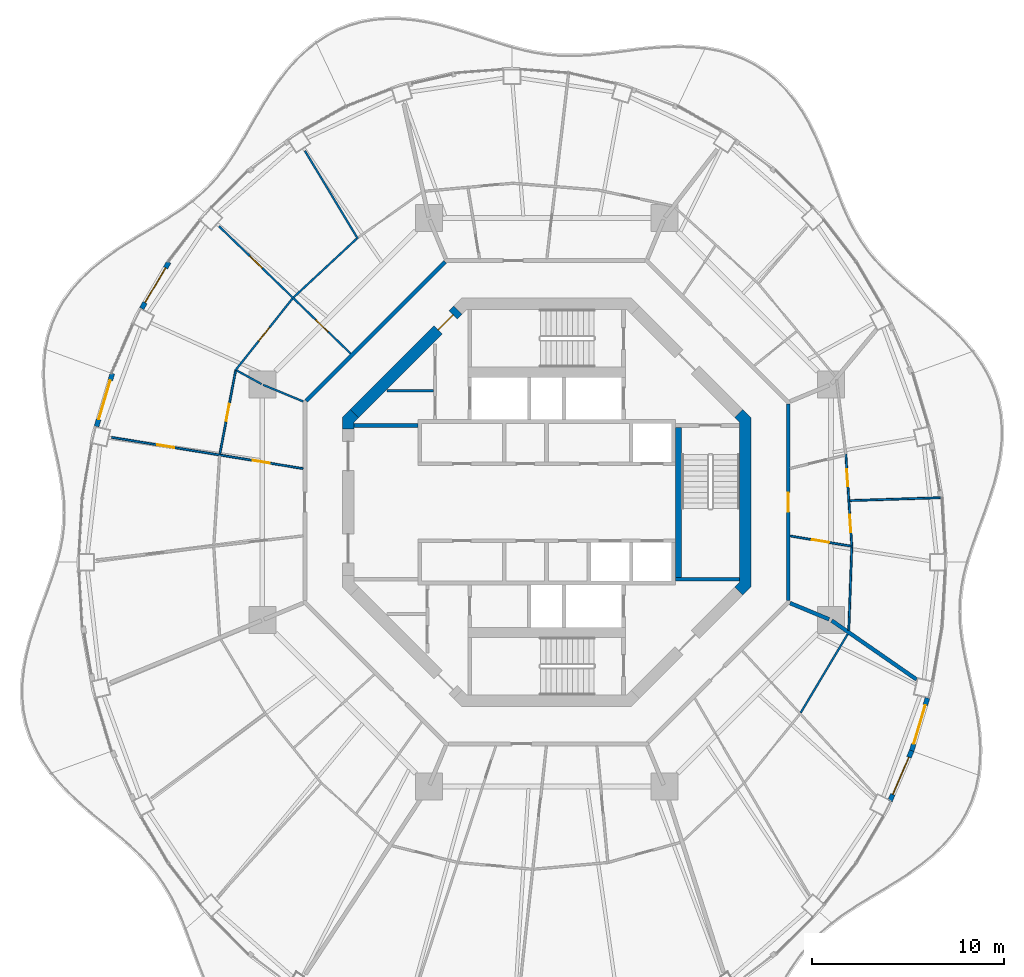
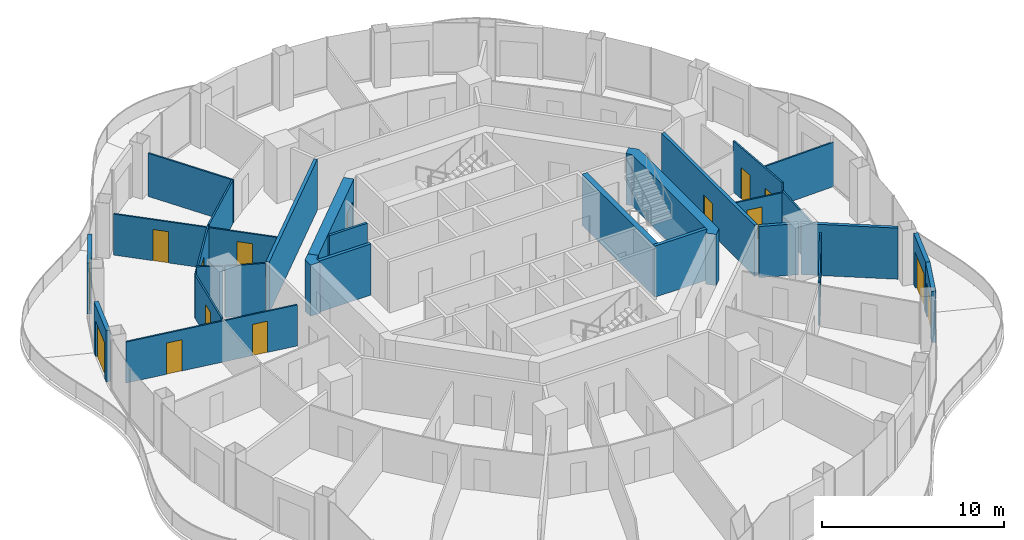
# One storey, part 12 of 18: 28 walls, 15 doors, 15 openings.
"""IFC4 building model written with IfcOpenShell, lengths in metres."""

import ifcopenshell
import ifcopenshell.guid

model = None  # the IFC model being written
_history = None  # IfcOwnerHistory: only IFC2X3 demands one
_inside = {}  # id of a spatial element -> (the spatial element, [elements in it])
_under = {}  # id of a project, library or spatial element -> (it, [spatial elements below it])
_declared = {}  # id of a project -> (the project, [libraries it declares])
_typed = {}  # id of a type object -> (the type object, [elements of that type])
_made_of = {}  # id of a material, layer set ... -> (it, [elements and type objects made of it])


def new_model(schema):
    """Start an empty IFC model of exactly this schema.

    Asked for "IFC4X3", IfcOpenShell would pick the latest addendum, in which some entities
    have other attributes; the version numbers below select the first issue.
    IFC2X3 requires an IfcOwnerHistory on every rooted entity: one is made here for all.
    """
    global model, _history
    if schema == "IFC4X3":
        model = ifcopenshell.file(schema_version=(4, 3, 0, 0))
    else:
        model = ifcopenshell.file(schema=schema)
    _inside.clear()
    _under.clear()
    _declared.clear()
    _typed.clear()
    _made_of.clear()
    _history = None
    if model.schema == "IFC2X3":
        org = make("IfcOrganization", Name="unknown")
        user = make(
            "IfcPersonAndOrganization",
            ThePerson=make("IfcPerson", FamilyName="unknown"),
            TheOrganization=org,
        )
        app = make(
            "IfcApplication",
            ApplicationDeveloper=org,
            Version="unknown",
            ApplicationFullName="unknown",
            ApplicationIdentifier="unknown",
        )
        _history = make(
            "IfcOwnerHistory",
            OwningUser=user,
            OwningApplication=app,
            ChangeAction="ADDED",
            CreationDate=0,
        )
    return model


def make(cls, **values):
    """One entity of the class cls with the attributes given. An attribute that is None is left unset."""
    return model.create_entity(
        cls, **{name: value for name, value in values.items() if value is not None}
    )


def rooted(cls, **values):
    """An entity with a GlobalId (a new one), such as an element, a storey or a relation."""
    return make(cls, GlobalId=ifcopenshell.guid.new(), OwnerHistory=_history, **values)


def si_unit(unit_type, name, prefix=None):
    """IfcSIUnit, for example si_unit("LENGTHUNIT", "METRE", prefix="MILLI")."""
    return make("IfcSIUnit", UnitType=unit_type, Prefix=prefix, Name=name)


def assignment(units):
    """IfcUnitAssignment: the units of a project."""
    return None if units is None else make("IfcUnitAssignment", Units=units)


def point(xyz):
    """IfcCartesianPoint."""
    return None if xyz is None else make("IfcCartesianPoint", Coordinates=xyz)


def direction(xyz):
    """IfcDirection."""
    return None if xyz is None else make("IfcDirection", DirectionRatios=xyz)


def frame(location, z_axis=None, x_axis=None):
    """IfcAxis2Placement3D, a coordinate frame: its origin and axes. An axis left out is left unset."""
    return make(
        "IfcAxis2Placement3D",
        Location=point(location),
        Axis=direction(z_axis),
        RefDirection=direction(x_axis),
    )


def frame_2d(location, x_axis=None):
    """IfcAxis2Placement2D, a coordinate frame in the plane: its origin and x axis."""
    return make(
        "IfcAxis2Placement2D", Location=point(location), RefDirection=direction(x_axis)
    )


def origin():
    """The frame at (0, 0, 0) with its axes left unset."""
    return frame((0.0, 0.0, 0.0))


def place(relative_to, where):
    """IfcLocalPlacement: puts the frame where relative to a parent placement (None: the world)."""
    return make(
        "IfcLocalPlacement", PlacementRelTo=relative_to, RelativePlacement=where
    )


def context(
    kind, dimensions, precision=None, world=None, true_north=None, identifier=None
):
    """IfcGeometricRepresentationContext, for example the 3D "Model" context."""
    return make(
        "IfcGeometricRepresentationContext",
        ContextIdentifier=identifier,
        ContextType=kind,
        CoordinateSpaceDimension=dimensions,
        Precision=precision,
        WorldCoordinateSystem=world,
        TrueNorth=true_north,
    )


def subcontext(parent, identifier, kind, view, scale=None):
    """IfcGeometricRepresentationSubContext, for example "Body" below "Model"."""
    return make(
        "IfcGeometricRepresentationSubContext",
        ContextIdentifier=identifier,
        ContextType=kind,
        ParentContext=parent,
        TargetScale=scale,
        TargetView=view,
    )


def project(units=None, contexts=None):
    """IfcProject with its units and contexts."""
    return rooted(
        "IfcProject",
        Name="project",
        RepresentationContexts=contexts,
        UnitsInContext=assignment(units),
    )


def spatial(cls, under=None, at=None, **own):
    """A site, building, storey or space (cls), placed at a placement, below another one or the project."""
    s = rooted(cls, ObjectPlacement=at, **own)
    if under is not None:
        _under.setdefault(under.id(), (under, []))[1].append(s)
    return s


def polyline(points):
    """IfcPolyline through the points."""
    return make("IfcPolyline", Points=[point(p) for p in points])


def profile(cls, at=None, kind="AREA", **sizes):
    """A parametric profile (cls). Its sizes go by their IFC names, for example OverallWidth=200.0."""
    return make(cls, ProfileType=kind, Position=at, **sizes)


def rectangle(**sizes):
    """IfcRectangleProfileDef."""
    return profile("IfcRectangleProfileDef", **sizes)


def outline(outer, holes=None, kind="AREA"):
    """IfcArbitraryClosedProfileDef: a profile drawn as a closed curve; with holes, ...WithVoids."""
    if holes is None:
        return make("IfcArbitraryClosedProfileDef", ProfileType=kind, OuterCurve=outer)
    return make(
        "IfcArbitraryProfileDefWithVoids",
        ProfileType=kind,
        OuterCurve=outer,
        InnerCurves=holes,
    )


def extrude(swept, where, along, depth):
    """IfcExtrudedAreaSolid: the profile swept, set in the frame where, extruded along a direction by depth."""
    return make(
        "IfcExtrudedAreaSolid",
        SweptArea=swept,
        Position=where,
        ExtrudedDirection=direction(along),
        Depth=depth,
    )


def shape(context_of_items, identifier, shape_type, items):
    """IfcShapeRepresentation: the items that make up one representation, for example the "Body"."""
    return make(
        "IfcShapeRepresentation",
        ContextOfItems=context_of_items,
        RepresentationIdentifier=identifier,
        RepresentationType=shape_type,
        Items=items,
    )


def material(Name=None, Category=None):
    """IfcMaterial."""
    return make("IfcMaterial", Name=Name, Category=Category)


def layer(
    of_material, thickness, ventilated=None, Name=None, Category=None, Priority=None
):
    """IfcMaterialLayer: one layer of a wall or slab, of a material (None: an air gap)."""
    return make(
        "IfcMaterialLayer",
        Material=of_material,
        LayerThickness=thickness,
        IsVentilated=ventilated,
        Name=Name,
        Category=Category,
        Priority=Priority,
    )


def layer_set(layers, Name=None):
    """IfcMaterialLayerSet."""
    return make("IfcMaterialLayerSet", MaterialLayers=layers, LayerSetName=Name)


def made_of(thing, what):
    """Note that an element or type object is made of a material, layer set ...; save() writes the relation."""
    if what is not None:
        _made_of.setdefault(what.id(), (what, []))[1].append(thing)
    return thing


def type_object(cls, material=None, **own):
    """A type object (cls), such as IfcWallType, which elements share."""
    return made_of(rooted(cls, **own), material)


def element(
    cls,
    number,
    at=None,
    inside=None,
    cuts=None,
    type_object=None,
    material=None,
    context=None,
    identifier="Body",
    shape_type=None,
    held_by="IfcProductDefinitionShape",
    body=None,
    shapes=None,
    **own,
):
    """One element of the class cls, such as IfcWall. Its Tag is "e" and its number.

    at: its placement. inside: the storey or other place that contains it. cuts: it is an
    opening in that element (IfcRelVoidsElement). A single representation is given by context,
    identifier, shape_type and body (its items); several are given by shapes. held_by: the class
    of the entity that holds the representations. save() writes the other relations.
    """
    e = rooted(cls, Tag="e%d" % number, ObjectPlacement=at, **own)
    if body is not None:
        shapes = [shape(context, identifier, shape_type, body)]
    if shapes is not None:
        e.Representation = make(held_by, Representations=shapes)
    if inside is not None:
        _inside.setdefault(inside.id(), (inside, []))[1].append(e)
    if cuts is not None:
        rooted(
            "IfcRelVoidsElement", RelatingBuildingElement=cuts, RelatedOpeningElement=e
        )
    if type_object is not None:
        _typed.setdefault(type_object.id(), (type_object, []))[1].append(e)
    return made_of(e, material)


def fill(opening, filler):
    """IfcRelFillsElement: the door or window that sits in an opening."""
    return rooted(
        "IfcRelFillsElement",
        RelatingOpeningElement=opening,
        RelatedBuildingElement=filler,
    )


def aggregate(whole, parts):
    """IfcRelAggregates: a whole, such as a stair, and the parts it consists of."""
    return rooted("IfcRelAggregates", RelatingObject=whole, RelatedObjects=parts)


def save(model, path):
    """Write the relations noted so far, then the file.

    IfcRelAggregates (storeys below a building ...), IfcRelContainedInSpatialStructure (elements
    in a storey), IfcRelDefinesByType, IfcRelAssociatesMaterial and IfcRelDeclares: one each for
    every whole, place, type object, material and project.
    """
    for whole, parts in _under.values():
        aggregate(whole, parts)
    for where, things in _inside.values():
        rooted(
            "IfcRelContainedInSpatialStructure",
            RelatedElements=things,
            RelatingStructure=where,
        )
    for kind, things in _typed.values():
        rooted("IfcRelDefinesByType", RelatedObjects=things, RelatingType=kind)
    for what, things in _made_of.values():
        rooted("IfcRelAssociatesMaterial", RelatedObjects=things, RelatingMaterial=what)
    for by, libraries in _declared.values():
        rooted("IfcRelDeclares", RelatingContext=by, RelatedDefinitions=libraries)
    model.write(path)


model = new_model("IFC4")

# Units and contexts
model_context = context("Model", 3, precision=1e-05, world=origin(), true_north=direction((0.0, 1.0)))
body_context = subcontext(model_context, "Body", "Model", "MODEL_VIEW")
ifc_project = project(units=[si_unit("LENGTHUNIT", "METRE"), si_unit("AREAUNIT", "SQUARE_METRE"), si_unit("VOLUMEUNIT", "CUBIC_METRE"), si_unit("PLANEANGLEUNIT", "RADIAN"), si_unit("MASSUNIT", "GRAM", prefix="KILO")], contexts=[model_context])

# Site, building, storey
site_placement = place(None, origin())
site = spatial("IfcSite", under=ifc_project, at=site_placement, CompositionType="ELEMENT")
building_placement = place(site_placement, origin())
building = spatial("IfcBuilding", under=site, at=building_placement, Name="Nagisa Residences", CompositionType="ELEMENT")
storey_placement = place(building_placement, frame((0.0, 0.0, 284.39990234375)))
storey = spatial("IfcBuildingStorey", under=building, at=storey_placement, Name="L72", CompositionType="ELEMENT", Elevation=284.39990234375)

# Walls
ifc_material_1 = material(Name="Gypsum board on steel studs", Category="steel")
ifc_layer_1 = layer(ifc_material_1, 0.199951171875)
ifc_layer_set_1 = layer_set([ifc_layer_1], Name="Apartment compartment wall EI60 200")
wall_type_1 = type_object("IfcWallType", Name="Apartment compartment wall EI60 200", PredefinedType="PARTITIONING", material=ifc_layer_set_1)
wall_1_placement = place(storey_placement, frame((12.6572265625, -5.24267578125, 0.0), z_axis=(0.0, 0.0, 1.0), x_axis=(0.92383017907, -0.382802560388, 0.0)))
element("IfcWall", 1, at=wall_1_placement, inside=storey, type_object=wall_type_1, Name="wall:L72:u12", PredefinedType="PARTITIONING", context=body_context, shape_type="SweptSolid", body=[
    extrude(rectangle(XDim=2.2001953125, YDim=0.199951171875, at=frame_2d((1.10009765625, 0.0))), origin(), (0.0, 0.0, 1.0), 3.440185546875),
])
wall_2_placement = place(storey_placement, frame((14.8232421875, -6.1513671875, 0.0), z_axis=(0.0, 0.0, 1.0), x_axis=(0.821435065081, -0.570302054928, 0.0)))
element("IfcWall", 2, at=wall_2_placement, inside=storey, type_object=wall_type_1, Name="wall:L72:u13", PredefinedType="PARTITIONING", context=body_context, shape_type="SweptSolid", body=[
    extrude(rectangle(XDim=5.3681640625, YDim=0.199951171875, at=frame_2d((2.68408203125, 0.0))), origin(), (0.0, 0.0, 1.0), 3.440185546875),
])

# Wall, opening, door
ifc_material_2 = material(Name="Gypsum board on steel studs", Category="steel")
ifc_layer_2 = layer(ifc_material_2, 0.199951171875)
ifc_layer_set_2 = layer_set([ifc_layer_2], Name="Apartment entry wall EI60 200")
wall_type_2 = type_object("IfcWallType", Name="Apartment entry wall EI60 200", PredefinedType="PARTITIONING", material=ifc_layer_set_2)
wall_3_placement = place(storey_placement, frame((12.564697265625, -5.1044921875, 0.0), z_axis=(0.0, 0.0, 1.0), x_axis=(0.0, 1.0, 0.0)))
wall_3 = element("IfcWall", 3, at=wall_3_placement, inside=storey, type_object=wall_type_2, Name="wall:L72:u14", PredefinedType="PARTITIONING", context=body_context, shape_type="SweptSolid", body=[
    extrude(rectangle(XDim=10.208984375, YDim=0.199951171875, at=frame_2d((5.1044921875, 0.0))), origin(), (0.0, 0.0, 1.0), 3.440185546875),
])
opening_1_placement = place(wall_3_placement, frame((4.6044921875, 0.0, 0.0)))
opening_1 = element("IfcOpeningElement", 4, at=opening_1_placement, cuts=wall_3, Name="Opening L72-U20", PredefinedType="OPENING", context=body_context, shape_type="SweptSolid", body=[
    extrude(rectangle(XDim=1.0, YDim=2.10009765625, at=frame_2d((0.5, 1.050048828125))), frame((0.0, 0.10986328125, 0.0), z_axis=(0.0, -1.0, 0.0), x_axis=(1.0, 0.0, 0.0)), (0.0, 0.0, 1.0), 0.219970703125),
])
ifc_material_3 = material(Name="Timber fire door set", Category="wood")
door_type_1 = type_object("IfcDoorType", Name="Apartment entry door FD30S 1000x2100", OperationType="NOTDEFINED", PredefinedType="DOOR", material=ifc_material_3)
door_1_placement = place(opening_1_placement, frame((1.0, 0.0, 0.0), x_axis=(-1.0, 0.0, 0.0)))
door_1 = element("IfcDoor", 5, at=door_1_placement, inside=storey, type_object=door_type_1, Name="Entry door, Apartment 72D", OperationType="SINGLE_SWING_LEFT", OverallHeight=2.10009765625, OverallWidth=1.0, PredefinedType="DOOR", context=body_context, shape_type="SweptSolid", body=[
    extrude(rectangle(XDim=1.0, YDim=2.10009765625, at=frame_2d((0.5, 1.050048828125))), frame((0.0, 0.02490234375, 0.0), z_axis=(0.0, -1.0, 0.0), x_axis=(1.0, 0.0, 0.0)), (0.0, 0.0, 1.0), 0.050048828125),
])
fill(opening_1, door_1)

# Wall
wall_4_placement = place(storey_placement, frame((-5.275146484375, 12.494140625, 0.0), z_axis=(0.0, 0.0, 1.0), x_axis=(-0.707106781187, -0.707106781187, 0.0)))
element("IfcWall", 6, at=wall_4_placement, inside=storey, type_object=wall_type_2, Name="wall:L72:u17", PredefinedType="PARTITIONING", context=body_context, shape_type="SweptSolid", body=[
    extrude(rectangle(XDim=10.209228515625, YDim=0.199951171875, at=frame_2d((5.1044921875, 0.0))), origin(), (0.0, 0.0, 1.0), 3.440185546875),
])

# Wall, opening, door
ifc_material_4 = material(Name="Gypsum board on steel studs", Category="steel")
ifc_layer_3 = layer(ifc_material_4, 0.10009765625)
ifc_layer_set_3 = layer_set([ifc_layer_3], Name="Apartment partition 100")
wall_type_3 = type_object("IfcWallType", Name="Apartment partition 100", PredefinedType="PARTITIONING", material=ifc_layer_set_3)
wall_5_placement = place(storey_placement, frame((12.663330078125, -1.75146484375, 0.0), z_axis=(0.0, 0.0, 1.0), x_axis=(0.98626156497, -0.165191178529, 0.0)))
wall_5 = element("IfcWall", 7, at=wall_5_placement, inside=storey, type_object=wall_type_3, Name="wall:L72:u22", PredefinedType="PARTITIONING", context=body_context, shape_type="SweptSolid", body=[
    extrude(rectangle(XDim=3.1982421875, YDim=0.10009765625, at=frame_2d((1.59912109375, 0.0))), origin(), (0.0, 0.0, 1.0), 2.76220703125),
])
opening_2_placement = place(wall_5_placement, frame((1.149169921875, 0.0, 0.0)))
opening_2 = element("IfcOpeningElement", 8, at=opening_2_placement, cuts=wall_5, Name="Opening L72-U21", PredefinedType="OPENING", context=body_context, shape_type="SweptSolid", body=[
    extrude(rectangle(XDim=0.89990234375, YDim=2.10009765625, at=frame_2d((0.449951171875, 1.050048828125))), frame((0.0, 0.06005859375, 0.0), z_axis=(0.0, -1.0, 0.0), x_axis=(1.0, 0.0, 0.0)), (0.0, 0.0, 1.0), 0.1201171875),
])
ifc_material_5 = material(Name="Timber door set", Category="wood")
door_type_2 = type_object("IfcDoorType", Name="Apartment door 900x2100", OperationType="NOTDEFINED", PredefinedType="DOOR", material=ifc_material_5)
door_2_placement = place(opening_2_placement, frame((0.89990234375, 0.0, 0.0), x_axis=(-1.0, 0.0, 0.0)))
door_2 = element("IfcDoor", 9, at=door_2_placement, inside=storey, type_object=door_type_2, Name="Door to family bathroom, Apartment 72D", OperationType="SINGLE_SWING_RIGHT", OverallHeight=2.10009765625, OverallWidth=0.89990234375, PredefinedType="DOOR", context=body_context, shape_type="SweptSolid", body=[
    extrude(rectangle(XDim=0.89990234375, YDim=2.10009765625, at=frame_2d((0.449951171875, 1.050048828125))), frame((0.0, 0.02490234375, 0.0), z_axis=(0.0, -1.0, 0.0), x_axis=(1.0, 0.0, 0.0)), (0.0, 0.0, 1.0), 0.050048828125),
])
fill(opening_2, door_2)

# Wall, openings, doors
wall_6_placement = place(storey_placement, frame((15.8701171875, -2.337890625, 0.0), z_axis=(0.0, 0.0, 1.0), x_axis=(-0.064797294757, 0.997898447034, 0.0)))
wall_6 = element("IfcWall", 10, at=wall_6_placement, inside=storey, type_object=wall_type_3, Name="wall:L72:u23", PredefinedType="PARTITIONING", context=body_context, shape_type="SweptSolid", body=[
    extrude(rectangle(XDim=4.856689453125, YDim=0.10009765625, at=frame_2d((2.42822265625, 0.0))), origin(), (0.0, 0.0, 1.0), 3.440185546875),
])
opening_3_placement = place(wall_6_placement, frame((0.789306640625, 0.0, 0.0)))
opening_3 = element("IfcOpeningElement", 11, at=opening_3_placement, cuts=wall_6, Name="Opening L72-U23", PredefinedType="OPENING", context=body_context, shape_type="SweptSolid", body=[
    extrude(rectangle(XDim=0.89990234375, YDim=2.10009765625, at=frame_2d((0.449951171875, 1.050048828125))), frame((0.0, 0.06005859375, 0.0), z_axis=(0.0, -1.0, 0.0), x_axis=(1.0, 0.0, 0.0)), (0.0, 0.0, 1.0), 0.1201171875),
])
opening_4_placement = place(wall_6_placement, frame((3.16748046875, 0.0, 0.0)))
opening_4 = element("IfcOpeningElement", 12, at=opening_4_placement, cuts=wall_6, Name="Opening L72-U24", PredefinedType="OPENING", context=body_context, shape_type="SweptSolid", body=[
    extrude(rectangle(XDim=0.89990234375, YDim=2.10009765625, at=frame_2d((0.449951171875, 1.050048828125))), frame((0.0, 0.06005859375, 0.0), z_axis=(0.0, -1.0, 0.0), x_axis=(1.0, 0.0, 0.0)), (0.0, 0.0, 1.0), 0.1201171875),
])
door_3_placement = place(opening_3_placement, frame((0.89990234375, 0.0, 0.0), x_axis=(-1.0, 0.0, 0.0)))
door_3 = element("IfcDoor", 13, at=door_3_placement, inside=storey, type_object=door_type_2, Name="Door to kitchen, Apartment 72D", OperationType="SINGLE_SWING_RIGHT", OverallHeight=2.10009765625, OverallWidth=0.89990234375, PredefinedType="DOOR", context=body_context, shape_type="SweptSolid", body=[
    extrude(rectangle(XDim=0.89990234375, YDim=2.10009765625, at=frame_2d((0.449951171875, 1.050048828125))), frame((0.0, 0.02490234375, 0.0), z_axis=(0.0, -1.0, 0.0), x_axis=(1.0, 0.0, 0.0)), (0.0, 0.0, 1.0), 0.050048828125),
])
fill(opening_3, door_3)
door_4_placement = place(opening_4_placement, frame((0.89990234375, 0.0, 0.0), x_axis=(-1.0, 0.0, 0.0)))
door_4 = element("IfcDoor", 14, at=door_4_placement, inside=storey, type_object=door_type_2, Name="Door to master bedroom, Apartment 72D", OperationType="SINGLE_SWING_LEFT", OverallHeight=2.10009765625, OverallWidth=0.89990234375, PredefinedType="DOOR", context=body_context, shape_type="SweptSolid", body=[
    extrude(rectangle(XDim=0.89990234375, YDim=2.10009765625, at=frame_2d((0.449951171875, 1.050048828125))), frame((0.0, 0.02490234375, 0.0), z_axis=(0.0, -1.0, 0.0), x_axis=(1.0, 0.0, 0.0)), (0.0, 0.0, 1.0), 0.050048828125),
])
fill(opening_4, door_4)

# Walls
wall_7_placement = place(storey_placement, frame((15.864990234375, -2.337890625, 0.0), z_axis=(0.0, 0.0, 1.0), x_axis=(-0.035864509465, -0.999356661538, 0.0)))
element("IfcWall", 15, at=wall_7_placement, inside=storey, type_object=wall_type_3, Name="wall:L72:u24", PredefinedType="PARTITIONING", context=body_context, shape_type="SweptSolid", body=[
    extrude(rectangle(XDim=4.329345703125, YDim=0.10009765625, at=frame_2d((2.16455078125, 0.0))), origin(), (0.0, 0.0, 1.0), 2.905029296875),
])
wall_8_placement = place(storey_placement, frame((15.7626953125, 0.0869140625, 0.0), z_axis=(0.0, 0.0, 1.0), x_axis=(0.999492034598, 0.03186962151, 0.0)))
element("IfcWall", 16, at=wall_8_placement, inside=storey, type_object=wall_type_3, Name="wall:L72:u25", PredefinedType="PARTITIONING", context=body_context, shape_type="SweptSolid", body=[
    extrude(rectangle(XDim=4.826171875, YDim=0.10009765625, at=frame_2d((2.4130859375, 0.0))), origin(), (0.0, 0.0, 1.0), 2.983154296875),
])
wall_9_placement = place(storey_placement, frame((-9.81298828125, 13.693359375, 0.0), z_axis=(0.0, 0.0, 1.0), x_axis=(-0.515509511815, 0.856883856324, 0.0)))
element("IfcWall", 17, at=wall_9_placement, inside=storey, type_object=wall_type_3, Name="wall:L72:u39", PredefinedType="PARTITIONING", context=body_context, shape_type="SweptSolid", body=[
    extrude(rectangle(XDim=5.345947265625, YDim=0.10009765625, at=frame_2d((2.6728515625, 0.0))), origin(), (0.0, 0.0, 1.0), 2.905029296875),
])
wall_10_placement = place(storey_placement, frame((-9.87548828125, 13.702392578125, 0.0), z_axis=(0.0, 0.0, 1.0), x_axis=(-0.732618266441, -0.680639754699, 0.0)))
element("IfcWall", 18, at=wall_10_placement, inside=storey, type_object=wall_type_3, Name="wall:L72:u40", PredefinedType="PARTITIONING", context=body_context, shape_type="SweptSolid", body=[
    extrude(rectangle(XDim=4.466796875, YDim=0.10009765625, at=frame_2d((2.2333984375, 0.0))), origin(), (0.0, 0.0, 1.0), 2.905029296875),
])

# Wall, openings, doors
wall_11_placement = place(storey_placement, frame((-10.183349609375, 7.727294921875, 0.0), z_axis=(0.0, 0.0, 1.0), x_axis=(-0.719063433856, 0.694944442449, 0.0)))
wall_11 = element("IfcWall", 19, at=wall_11_placement, inside=storey, type_object=wall_type_3, Name="wall:L72:u41", PredefinedType="PARTITIONING", context=body_context, shape_type="SweptSolid", body=[
    extrude(rectangle(XDim=9.53515625, YDim=0.10009765625, at=frame_2d((4.767578125, 0.0))), origin(), (0.0, 0.0, 1.0), 2.76220703125),
])
opening_5_placement = place(wall_11_placement, frame((6.404541015625, 0.0, 0.0)))
opening_5 = element("IfcOpeningElement", 20, at=opening_5_placement, cuts=wall_11, Name="Opening L72-U42", PredefinedType="OPENING", context=body_context, shape_type="SweptSolid", body=[
    extrude(rectangle(XDim=0.89990234375, YDim=2.10009765625, at=frame_2d((0.449951171875, 1.050048828125))), frame((0.0, 0.06005859375, 0.0), z_axis=(0.0, -1.0, 0.0), x_axis=(1.0, 0.0, 0.0)), (0.0, 0.0, 1.0), 0.1201171875),
])
opening_6_placement = place(wall_11_placement, frame((1.636962890625, 0.0, 0.0)))
opening_6 = element("IfcOpeningElement", 21, at=opening_6_placement, cuts=wall_11, Name="Opening L72-U43", PredefinedType="OPENING", context=body_context, shape_type="SweptSolid", body=[
    extrude(rectangle(XDim=0.89990234375, YDim=2.10009765625, at=frame_2d((0.449951171875, 1.050048828125))), frame((0.0, 0.06005859375, 0.0), z_axis=(0.0, -1.0, 0.0), x_axis=(1.0, 0.0, 0.0)), (0.0, 0.0, 1.0), 0.1201171875),
])
door_5_placement = place(opening_5_placement, frame((0.89990234375, 0.0, 0.0), x_axis=(-1.0, 0.0, 0.0)))
door_5 = element("IfcDoor", 22, at=door_5_placement, inside=storey, type_object=door_type_2, Name="Door to master bedroom, Apartment 72G", OperationType="SINGLE_SWING_LEFT", OverallHeight=2.10009765625, OverallWidth=0.89990234375, PredefinedType="DOOR", context=body_context, shape_type="SweptSolid", body=[
    extrude(rectangle(XDim=0.89990234375, YDim=2.10009765625, at=frame_2d((0.449951171875, 1.050048828125))), frame((0.0, 0.02490234375, 0.0), z_axis=(0.0, -1.0, 0.0), x_axis=(1.0, 0.0, 0.0)), (0.0, 0.0, 1.0), 0.050048828125),
])
fill(opening_5, door_5)
door_6_placement = place(opening_6_placement, frame((0.89990234375, 0.0, 0.0), x_axis=(-1.0, 0.0, 0.0)))
door_6 = element("IfcDoor", 23, at=door_6_placement, inside=storey, type_object=door_type_2, Name="Door to store, Apartment 72G", OperationType="SINGLE_SWING_RIGHT", OverallHeight=2.10009765625, OverallWidth=0.89990234375, PredefinedType="DOOR", context=body_context, shape_type="SweptSolid", body=[
    extrude(rectangle(XDim=0.89990234375, YDim=2.10009765625, at=frame_2d((0.449951171875, 1.050048828125))), frame((0.0, 0.02490234375, 0.0), z_axis=(0.0, -1.0, 0.0), x_axis=(1.0, 0.0, 0.0)), (0.0, 0.0, 1.0), 0.050048828125),
])
fill(opening_6, door_6)

# Wall, opening, door
wall_12_placement = place(storey_placement, frame((-13.2158203125, 10.5888671875, 0.0), z_axis=(0.0, 0.0, 1.0), x_axis=(-0.622272178674, -0.782800955319, 0.0)))
wall_12 = element("IfcWall", 24, at=wall_12_placement, inside=storey, type_object=wall_type_3, Name="wall:L72:u42", PredefinedType="PARTITIONING", context=body_context, shape_type="SweptSolid", body=[
    extrude(rectangle(XDim=4.7861328125, YDim=0.10009765625, at=frame_2d((2.39306640625, 0.0))), origin(), (0.0, 0.0, 1.0), 2.905029296875),
])
opening_7_placement = place(wall_12_placement, frame((1.918212890625, 0.0, 0.0)))
opening_7 = element("IfcOpeningElement", 25, at=opening_7_placement, cuts=wall_12, Name="Opening L72-U41", PredefinedType="OPENING", context=body_context, shape_type="SweptSolid", body=[
    extrude(rectangle(XDim=0.89990234375, YDim=2.10009765625, at=frame_2d((0.449951171875, 1.050048828125))), frame((0.0, 0.06005859375, 0.0), z_axis=(0.0, -1.0, 0.0), x_axis=(1.0, 0.0, 0.0)), (0.0, 0.0, 1.0), 0.1201171875),
])
door_7_placement = place(opening_7_placement, origin())
door_7 = element("IfcDoor", 26, at=door_7_placement, inside=storey, type_object=door_type_2, Name="Door to laundry, Apartment 72G", OperationType="SINGLE_SWING_LEFT", OverallHeight=2.10009765625, OverallWidth=0.89990234375, PredefinedType="DOOR", context=body_context, shape_type="SweptSolid", body=[
    extrude(rectangle(XDim=0.89990234375, YDim=2.10009765625, at=frame_2d((0.449951171875, 1.050048828125))), frame((0.0, 0.02490234375, 0.0), z_axis=(0.0, -1.0, 0.0), x_axis=(1.0, 0.0, 0.0)), (0.0, 0.0, 1.0), 0.050048828125),
])
fill(opening_7, door_7)

# Walls
wall_13_placement = place(storey_placement, frame((-12.6572265625, 5.24267578125, 0.0), z_axis=(0.0, 0.0, 1.0), x_axis=(-0.923864733477, 0.382719158442, 0.0)))
element("IfcWall", 27, at=wall_13_placement, inside=storey, type_object=wall_type_3, Name="wall:L72:u43", PredefinedType="PARTITIONING", context=body_context, shape_type="SweptSolid", body=[
    extrude(rectangle(XDim=2.25, YDim=0.10009765625, at=frame_2d((1.125, 0.0))), origin(), (0.0, 0.0, 1.0), 3.440185546875),
])
wall_14_placement = place(storey_placement, frame((-14.826171875, 6.14697265625, 0.0), z_axis=(0.0, 0.0, 1.0), x_axis=(-0.876411496923, 0.481562963755, 0.0)))
element("IfcWall", 28, at=wall_14_placement, inside=storey, type_object=wall_type_3, Name="wall:L72:u44", PredefinedType="PARTITIONING", context=body_context, shape_type="SweptSolid", body=[
    extrude(rectangle(XDim=1.475341796875, YDim=0.10009765625, at=frame_2d((0.73779296875, 0.0))), origin(), (0.0, 0.0, 1.0), 3.440185546875),
])

# Wall, opening, door
wall_15_placement = place(storey_placement, frame((-16.172119140625, 6.832275390625, 0.0), z_axis=(0.0, 0.0, 1.0), x_axis=(-0.185671645069, -0.982611846162, 0.0)))
wall_15 = element("IfcWall", 29, at=wall_15_placement, inside=storey, type_object=wall_type_3, Name="wall:L72:u45", PredefinedType="PARTITIONING", context=body_context, shape_type="SweptSolid", body=[
    extrude(rectangle(XDim=4.40087890625, YDim=0.10009765625, at=frame_2d((2.200439453125, 0.0))), origin(), (0.0, 0.0, 1.0), 2.905029296875),
])
opening_8_placement = place(wall_15_placement, frame((1.75048828125, 0.0, 0.0)))
opening_8 = element("IfcOpeningElement", 30, at=opening_8_placement, cuts=wall_15, Name="Opening L72-U38", PredefinedType="OPENING", context=body_context, shape_type="SweptSolid", body=[
    extrude(rectangle(XDim=0.89990234375, YDim=2.10009765625, at=frame_2d((0.449951171875, 1.050048828125))), frame((0.0, 0.06005859375, 0.0), z_axis=(0.0, -1.0, 0.0), x_axis=(1.0, 0.0, 0.0)), (0.0, 0.0, 1.0), 0.1201171875),
])
door_8_placement = place(opening_8_placement, frame((0.89990234375, 0.0, 0.0), x_axis=(-1.0, 0.0, 0.0)))
door_8 = element("IfcDoor", 31, at=door_8_placement, inside=storey, type_object=door_type_2, Name="Door to living room, Apartment 72G", OperationType="SINGLE_SWING_LEFT", OverallHeight=2.10009765625, OverallWidth=0.89990234375, PredefinedType="DOOR", context=body_context, shape_type="SweptSolid", body=[
    extrude(rectangle(XDim=0.89990234375, YDim=2.10009765625, at=frame_2d((0.449951171875, 1.050048828125))), frame((0.0, 0.02490234375, 0.0), z_axis=(0.0, -1.0, 0.0), x_axis=(1.0, 0.0, 0.0)), (0.0, 0.0, 1.0), 0.050048828125),
])
fill(opening_8, door_8)

# Wall, openings, doors
wall_16_placement = place(storey_placement, frame((-12.66357421875, 1.7509765625, 0.0), z_axis=(0.0, 0.0, 1.0), x_axis=(-0.986935394566, 0.161116501183, 0.0)))
wall_16 = element("IfcWall", 32, at=wall_16_placement, inside=storey, type_object=wall_type_3, Name="wall:L72:u46", PredefinedType="PARTITIONING", context=body_context, shape_type="SweptSolid", body=[
    extrude(rectangle(XDim=10.0859375, YDim=0.10009765625, at=frame_2d((5.04296875, 0.0))), origin(), (0.0, 0.0, 1.0), 2.76220703125),
])
opening_9_placement = place(wall_16_placement, frame((1.74609375, 0.0, 0.0)))
opening_9 = element("IfcOpeningElement", 33, at=opening_9_placement, cuts=wall_16, Name="Opening L72-U36", PredefinedType="OPENING", context=body_context, shape_type="SweptSolid", body=[
    extrude(rectangle(XDim=0.89990234375, YDim=2.10009765625, at=frame_2d((0.449951171875, 1.050048828125))), frame((0.0, 0.06005859375, 0.0), z_axis=(0.0, -1.0, 0.0), x_axis=(1.0, 0.0, 0.0)), (0.0, 0.0, 1.0), 0.1201171875),
])
opening_10_placement = place(wall_16_placement, frame((6.789306640625, 0.0, 0.0)))
opening_10 = element("IfcOpeningElement", 34, at=opening_10_placement, cuts=wall_16, Name="Opening L72-U39", PredefinedType="OPENING", context=body_context, shape_type="SweptSolid", body=[
    extrude(rectangle(XDim=0.89990234375, YDim=2.10009765625, at=frame_2d((0.449951171875, 1.050048828125))), frame((0.0, 0.06005859375, 0.0), z_axis=(0.0, -1.0, 0.0), x_axis=(1.0, 0.0, 0.0)), (0.0, 0.0, 1.0), 0.1201171875),
])
door_9_placement = place(opening_9_placement, frame((0.89990234375, 0.0, 0.0), x_axis=(-1.0, 0.0, 0.0)))
door_9 = element("IfcDoor", 35, at=door_9_placement, inside=storey, type_object=door_type_2, Name="Door to laundry, Apartment 72G", OperationType="SINGLE_SWING_LEFT", OverallHeight=2.10009765625, OverallWidth=0.89990234375, PredefinedType="DOOR", context=body_context, shape_type="SweptSolid", body=[
    extrude(rectangle(XDim=0.89990234375, YDim=2.10009765625, at=frame_2d((0.449951171875, 1.050048828125))), frame((0.0, 0.02490234375, 0.0), z_axis=(0.0, -1.0, 0.0), x_axis=(1.0, 0.0, 0.0)), (0.0, 0.0, 1.0), 0.050048828125),
])
fill(opening_9, door_9)
door_10_placement = place(opening_10_placement, origin())
door_10 = element("IfcDoor", 36, at=door_10_placement, inside=storey, type_object=door_type_2, Name="Door to tatami room, Apartment 72G", OperationType="SINGLE_SWING_LEFT", OverallHeight=2.10009765625, OverallWidth=0.89990234375, PredefinedType="DOOR", context=body_context, shape_type="SweptSolid", body=[
    extrude(rectangle(XDim=0.89990234375, YDim=2.10009765625, at=frame_2d((0.449951171875, 1.050048828125))), frame((0.0, 0.02490234375, 0.0), z_axis=(0.0, -1.0, 0.0), x_axis=(1.0, 0.0, 0.0)), (0.0, 0.0, 1.0), 0.050048828125),
])
fill(opening_10, door_10)

# Wall
wall_17_placement = place(storey_placement, frame((13.208251953125, -10.947021484375, 0.0), z_axis=(0.0, 0.0, 1.0), x_axis=(0.512726452516, 0.858552028063, 0.0)))
element("IfcWall", 37, at=wall_17_placement, inside=storey, type_object=wall_type_3, Name="wall:L72:u68", PredefinedType="PARTITIONING", context=body_context, shape_type="SweptSolid", body=[
    extrude(rectangle(XDim=4.771728515625, YDim=0.10009765625, at=frame_2d((2.3857421875, 0.0))), origin(), (0.0, 0.0, 1.0), 2.905029296875),
])

# Wall, opening, door
ifc_material_6 = material(Name="Precast concrete C40/50", Category="concrete")
ifc_layer_4 = layer(ifc_material_6, 0.25)
ifc_layer_set_4 = layer_set([ifc_layer_4], Name="BALCONY DOOR WALL 250")
wall_type_4 = type_object("IfcWallType", Name="BALCONY DOOR WALL 250", PredefinedType="SOLIDWALL", material=ifc_layer_set_4)
wall_18_placement = place(storey_placement, frame((-21.053955078125, 10.0771484375, 0.0), z_axis=(0.0, 0.0, 1.0), x_axis=(0.506371364425, 0.862315511452, 0.0)))
wall_18 = element("IfcWall", 38, at=wall_18_placement, inside=storey, type_object=wall_type_4, Name="wall:L72:bay19", PredefinedType="SOLIDWALL", context=body_context, shape_type="SweptSolid", body=[
    extrude(rectangle(XDim=2.79638671875, YDim=0.25, at=frame_2d((1.398193359375, 0.0))), origin(), (0.0, 0.0, 1.0), 3.440185546875),
])
opening_11_placement = place(wall_18_placement, frame((0.34814453125, 0.0, 0.0)))
opening_11 = element("IfcOpeningElement", 39, at=opening_11_placement, cuts=wall_18, Name="Opening BD-L72-07", PredefinedType="OPENING", context=body_context, shape_type="SweptSolid", body=[
    extrude(rectangle(XDim=2.10009765625, YDim=2.39990234375, at=frame_2d((1.050048828125, 1.199951171875))), frame((0.0, 0.135009765625, 0.0), z_axis=(0.0, -1.0, 0.0), x_axis=(1.0, 0.0, 0.0)), (0.0, 0.0, 1.0), 0.27001953125),
])
ifc_material_7 = material(Name="Aluminium and clear glass", Category="aluminium")
door_type_3 = type_object("IfcDoorType", Name="BALCONY SLIDING DOOR 2100x2400", OperationType="SLIDING_TO_LEFT", PredefinedType="DOOR", material=ifc_material_7)
door_11_placement = place(opening_11_placement, origin())
door_11 = element("IfcDoor", 40, at=door_11_placement, inside=storey, type_object=door_type_3, Name="door:L72:bay19", OperationType="SLIDING_TO_LEFT", OverallHeight=2.39990234375, OverallWidth=2.10009765625, PredefinedType="DOOR", context=body_context, shape_type="SweptSolid", body=[
    extrude(rectangle(XDim=2.10009765625, YDim=2.39990234375, at=frame_2d((1.050048828125, 1.199951171875))), frame((0.0, 0.02490234375, 0.0), z_axis=(0.0, -1.0, 0.0), x_axis=(1.0, 0.0, 0.0)), (0.0, 0.0, 1.0), 0.050048828125),
])
fill(opening_11, door_11)

wall_19_placement = place(storey_placement, frame((-23.40087890625, 3.939697265625, 0.0), z_axis=(0.0, 0.0, 1.0), x_axis=(0.285876209024, 0.9582665564, 0.0)))
wall_19 = element("IfcWall", 41, at=wall_19_placement, inside=storey, type_object=wall_type_4, Name="wall:L72:bay21", PredefinedType="SOLIDWALL", context=body_context, shape_type="SweptSolid", body=[
    extrude(rectangle(XDim=2.877197265625, YDim=0.25, at=frame_2d((1.4384765625, 0.0))), origin(), (0.0, 0.0, 1.0), 3.440185546875),
])
opening_12_placement = place(wall_19_placement, frame((0.388671875, 0.0, 0.0)))
opening_12 = element("IfcOpeningElement", 42, at=opening_12_placement, cuts=wall_19, Name="Opening BD-L72-08", PredefinedType="OPENING", context=body_context, shape_type="SweptSolid", body=[
    extrude(rectangle(XDim=2.10009765625, YDim=2.39990234375, at=frame_2d((1.050048828125, 1.199951171875))), frame((0.0, 0.135009765625, 0.0), z_axis=(0.0, -1.0, 0.0), x_axis=(1.0, 0.0, 0.0)), (0.0, 0.0, 1.0), 0.27001953125),
])
door_12_placement = place(opening_12_placement, origin())
door_12 = element("IfcDoor", 43, at=door_12_placement, inside=storey, type_object=door_type_3, Name="door:L72:bay21", OperationType="SLIDING_TO_LEFT", OverallHeight=2.39990234375, OverallWidth=2.10009765625, PredefinedType="DOOR", context=body_context, shape_type="SweptSolid", body=[
    extrude(rectangle(XDim=2.10009765625, YDim=2.39990234375, at=frame_2d((1.050048828125, 1.199951171875))), frame((0.0, 0.02490234375, 0.0), z_axis=(0.0, -1.0, 0.0), x_axis=(1.0, 0.0, 0.0)), (0.0, 0.0, 1.0), 0.050048828125),
])
fill(opening_12, door_12)

wall_20_placement = place(storey_placement, frame((18.9833984375, -12.918212890625, 0.0), z_axis=(0.0, 0.0, 1.0), x_axis=(-0.397597791596, -0.9175598052, 0.0)))
wall_20 = element("IfcWall", 44, at=wall_20_placement, inside=storey, type_object=wall_type_4, Name="wall:L72:bay44", PredefinedType="SOLIDWALL", context=body_context, shape_type="SweptSolid", body=[
    extrude(rectangle(XDim=2.841064453125, YDim=0.25, at=frame_2d((1.42041015625, 0.0))), origin(), (0.0, 0.0, 1.0), 3.440185546875),
])
opening_13_placement = place(wall_20_placement, frame((0.37060546875, 0.0, 0.0)))
opening_13 = element("IfcOpeningElement", 45, at=opening_13_placement, cuts=wall_20, Name="Opening BD-L72-15", PredefinedType="OPENING", context=body_context, shape_type="SweptSolid", body=[
    extrude(rectangle(XDim=2.10009765625, YDim=2.39990234375, at=frame_2d((1.050048828125, 1.199951171875))), frame((0.0, 0.135009765625, 0.0), z_axis=(0.0, -1.0, 0.0), x_axis=(1.0, 0.0, 0.0)), (0.0, 0.0, 1.0), 0.27001953125),
])
door_13_placement = place(opening_13_placement, origin())
door_13 = element("IfcDoor", 46, at=door_13_placement, inside=storey, type_object=door_type_3, Name="door:L72:bay44", OperationType="SLIDING_TO_LEFT", OverallHeight=2.39990234375, OverallWidth=2.10009765625, PredefinedType="DOOR", context=body_context, shape_type="SweptSolid", body=[
    extrude(rectangle(XDim=2.10009765625, YDim=2.39990234375, at=frame_2d((1.050048828125, 1.199951171875))), frame((0.0, 0.02490234375, 0.0), z_axis=(0.0, -1.0, 0.0), x_axis=(1.0, 0.0, 0.0)), (0.0, 0.0, 1.0), 0.050048828125),
])
fill(opening_13, door_13)

wall_21_placement = place(storey_placement, frame((19.80078125, -10.17529296875, 0.0), z_axis=(0.0, 0.0, 1.0), x_axis=(-0.285899456462, -0.958259620768, 0.0)))
wall_21 = element("IfcWall", 47, at=wall_21_placement, inside=storey, type_object=wall_type_4, Name="wall:L72:bay45", PredefinedType="SOLIDWALL", context=body_context, shape_type="SweptSolid", body=[
    extrude(rectangle(XDim=2.876953125, YDim=0.25, at=frame_2d((1.4384765625, 0.0))), origin(), (0.0, 0.0, 1.0), 3.440185546875),
])
opening_14_placement = place(wall_21_placement, frame((0.388671875, 0.0, 0.0)))
opening_14 = element("IfcOpeningElement", 48, at=opening_14_placement, cuts=wall_21, Name="Opening BD-L72-16", PredefinedType="OPENING", context=body_context, shape_type="SweptSolid", body=[
    extrude(rectangle(XDim=2.10009765625, YDim=2.39990234375, at=frame_2d((1.050048828125, 1.199951171875))), frame((0.0, 0.135009765625, 0.0), z_axis=(0.0, -1.0, 0.0), x_axis=(1.0, 0.0, 0.0)), (0.0, 0.0, 1.0), 0.27001953125),
])
door_14_placement = place(opening_14_placement, origin())
door_14 = element("IfcDoor", 49, at=door_14_placement, inside=storey, type_object=door_type_3, Name="door:L72:bay45", OperationType="SLIDING_TO_LEFT", OverallHeight=2.39990234375, OverallWidth=2.10009765625, PredefinedType="DOOR", context=body_context, shape_type="SweptSolid", body=[
    extrude(rectangle(XDim=2.10009765625, YDim=2.39990234375, at=frame_2d((1.050048828125, 1.199951171875))), frame((0.0, 0.02490234375, 0.0), z_axis=(0.0, -1.0, 0.0), x_axis=(1.0, 0.0, 0.0)), (0.0, 0.0, 1.0), 0.050048828125),
])
fill(opening_14, door_14)

# Walls
ifc_material_8 = material(Name="Gypsum board on steel studs", Category="steel")
ifc_layer_5 = layer(ifc_material_8, 0.14990234375)
ifc_layer_set_5 = layer_set([ifc_layer_5], Name="Core partition 150")
wall_type_5 = type_object("IfcWallType", Name="Core partition 150", PredefinedType="PARTITIONING", material=ifc_layer_set_5)
wall_22_placement = place(storey_placement, frame((-8.301025390625, 5.800048828125, 0.0), z_axis=(0.0, 0.0, 1.0), x_axis=(1.0, 0.0, 0.0)))
element("IfcWall", 50, at=wall_22_placement, inside=storey, type_object=wall_type_5, Name="wall:L72:NWq", PredefinedType="PARTITIONING", context=body_context, shape_type="SweptSolid", body=[
    extrude(rectangle(XDim=2.426025390625, YDim=0.14990234375, at=frame_2d((1.212890625, 0.0))), origin(), (0.0, 0.0, 1.0), 3.440185546875),
])
ifc_material_9 = material(Name="Gypsum board on steel studs", Category="steel")
ifc_layer_6 = layer(ifc_material_9, 0.199951171875)
ifc_layer_set_6 = layer_set([ifc_layer_6], Name="Core partition 200")
wall_type_6 = type_object("IfcWallType", Name="Core partition 200", PredefinedType="PARTITIONING", material=ifc_layer_set_6)
wall_23_placement = place(storey_placement, frame((-10.024658203125, 4.0, 0.0), z_axis=(0.0, 0.0, 1.0), x_axis=(1.0, 0.0, 0.0)))
element("IfcWall", 51, at=wall_23_placement, inside=storey, type_object=wall_type_6, Name="wall:L72:PNW", PredefinedType="PARTITIONING", context=body_context, shape_type="SweptSolid", body=[
    extrude(rectangle(XDim=3.32470703125, YDim=0.199951171875, at=frame_2d((1.662353515625, 0.0))), origin(), (0.0, 0.0, 1.0), 3.440185546875),
])

# Wall, opening, door
ifc_material_10 = material(Name="Concrete C60", Category="concrete")
ifc_layer_7 = layer(ifc_material_10, 0.60009765625)
ifc_layer_set_7 = layer_set([ifc_layer_7], Name="Core shear wall 600")
wall_type_7 = type_object("IfcWallType", Name="Core shear wall 600", PredefinedType="SHEAR", material=ifc_layer_set_7)
wall_24_placement = place(storey_placement, frame((-4.613037109375, 9.98828125, 0.0), z_axis=(0.0, 0.0, 1.0), x_axis=(-0.707106781187, -0.707106781187, 0.0)))
wall_24 = element("IfcWall", 52, at=wall_24_placement, inside=storey, type_object=wall_type_7, Name="wall:L72:core:flat3", PredefinedType="SHEAR", context=body_context, shape_type="SweptSolid", body=[
    extrude(rectangle(XDim=7.601806640625, YDim=0.60009765625, at=frame_2d((3.80078125, 0.0))), origin(), (0.0, 0.0, 1.0), 3.440185546875),
])
opening_15_placement = place(wall_24_placement, frame((0.350830078125, 0.0, 0.0)))
opening_15 = element("IfcOpeningElement", 53, at=opening_15_placement, cuts=wall_24, Name="Opening L72-C25", PredefinedType="OPENING", context=body_context, shape_type="SweptSolid", body=[
    extrude(rectangle(XDim=1.10009765625, YDim=2.10009765625, at=frame_2d((0.550048828125, 1.050048828125))), frame((0.0, 0.31005859375, 0.0), z_axis=(0.0, -1.0, 0.0), x_axis=(1.0, 0.0, 0.0)), (0.0, 0.0, 1.0), 0.6201171875),
])
ifc_material_11 = material(Name="Steel fire door", Category="steel")
door_type_4 = type_object("IfcDoorType", Name="Fire door EI60 1100x2100 single swing", OperationType="NOTDEFINED", PredefinedType="DOOR", material=ifc_material_11)
door_15_placement = place(opening_15_placement, origin())
door_15 = element("IfcDoor", 54, at=door_15_placement, inside=storey, type_object=door_type_4, Name="Service lobby door L72", OperationType="SINGLE_SWING_LEFT", OverallHeight=2.10009765625, OverallWidth=1.10009765625, PredefinedType="DOOR", context=body_context, shape_type="SweptSolid", body=[
    extrude(rectangle(XDim=1.10009765625, YDim=2.10009765625, at=frame_2d((0.550048828125, 1.050048828125))), frame((0.0, 0.02490234375, 0.0), z_axis=(0.0, -1.0, 0.0), x_axis=(1.0, 0.0, 0.0)), (0.0, 0.0, 1.0), 0.050048828125),
])
fill(opening_15, door_15)

# Walls
wall_25_placement = place(storey_placement, origin())
element("IfcWall", 55, at=wall_25_placement, inside=storey, type_object=wall_type_7, Name="wall:L72:core:pier3", PredefinedType="SHEAR", context=body_context, shape_type="SweptSolid", body=[
    extrude(outline(polyline([(-10.200439453125, 4.8251953125), (-9.776123046875, 4.40087890625), (-10.024658203125, 4.15234375), (-10.024658203125, 3.80078125), (-10.62451171875, 3.80078125), (-10.62451171875, 4.40087890625), (-10.200439453125, 4.8251953125)])), origin(), (0.0, 0.0, 1.0), 3.440185546875),
])
wall_26_placement = place(storey_placement, origin())
element("IfcWall", 56, at=wall_26_placement, inside=storey, type_object=wall_type_7, Name="wall:L72:core:flat0", PredefinedType="SHEAR", context=body_context, shape_type="SweptSolid", body=[
    extrude(outline(polyline([(9.776123046875, -4.40087890625), (10.024658203125, -4.15234375), (10.024658203125, -3.801025390625), (10.024658203125, 4.15234375), (9.776123046875, 4.40087890625), (10.200439453125, 4.8251953125), (10.62451171875, 4.40087890625), (10.62451171875, -4.40087890625), (10.200439453125, -4.8251953125), (9.776123046875, -4.40087890625)])), origin(), (0.0, 0.0, 1.0), 3.440185546875),
])
ifc_material_12 = material(Name="Concrete C60", Category="concrete")
ifc_layer_8 = layer(ifc_material_12, 0.199951171875)
ifc_layer_set_8 = layer_set([ifc_layer_8], Name="Stair enclosure wall 200")
wall_type_8 = type_object("IfcWallType", Name="Stair enclosure wall 200", PredefinedType="SOLIDWALL", material=ifc_layer_set_8)
wall_27_placement = place(storey_placement, origin())
element("IfcWall", 57, at=wall_27_placement, inside=storey, type_object=wall_type_8, Name="wall:L72:SE_w", PredefinedType="SOLIDWALL", context=body_context, shape_type="SweptSolid", body=[
    extrude(outline(polyline([(7.024658203125, -3.89990234375), (6.699951171875, -3.89990234375), (6.699951171875, 3.89990234375), (7.024658203125, 3.89990234375), (7.024658203125, -3.89990234375)])), origin(), (0.0, 0.0, 1.0), 3.440185546875),
])
wall_28_placement = place(storey_placement, origin())
element("IfcWall", 58, at=wall_28_placement, inside=storey, type_object=wall_type_8, Name="wall:L72:SE_s", PredefinedType="SOLIDWALL", context=body_context, shape_type="SweptSolid", body=[
    extrude(outline(polyline([(10.024658203125, -4.10009765625), (6.699951171875, -4.10009765625), (6.699951171875, -3.89990234375), (10.024658203125, -3.89990234375), (10.024658203125, -4.10009765625)])), origin(), (0.0, 0.0, 1.0), 3.440185546875),
])

save(model, "model.ifc")
